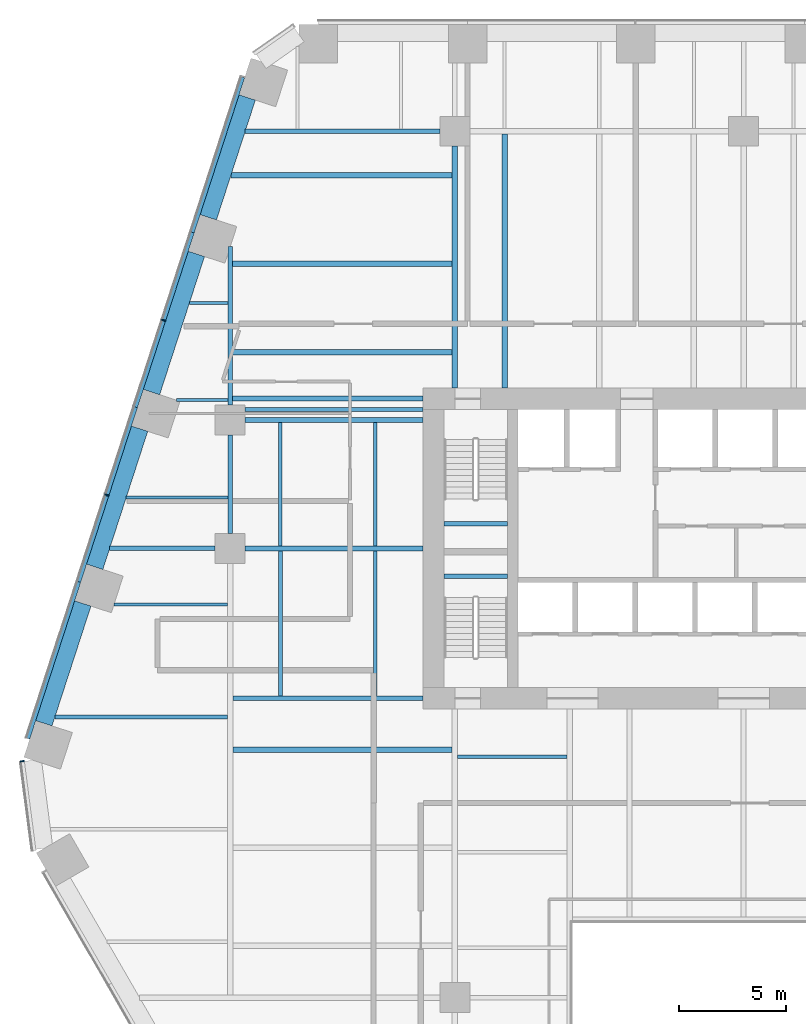
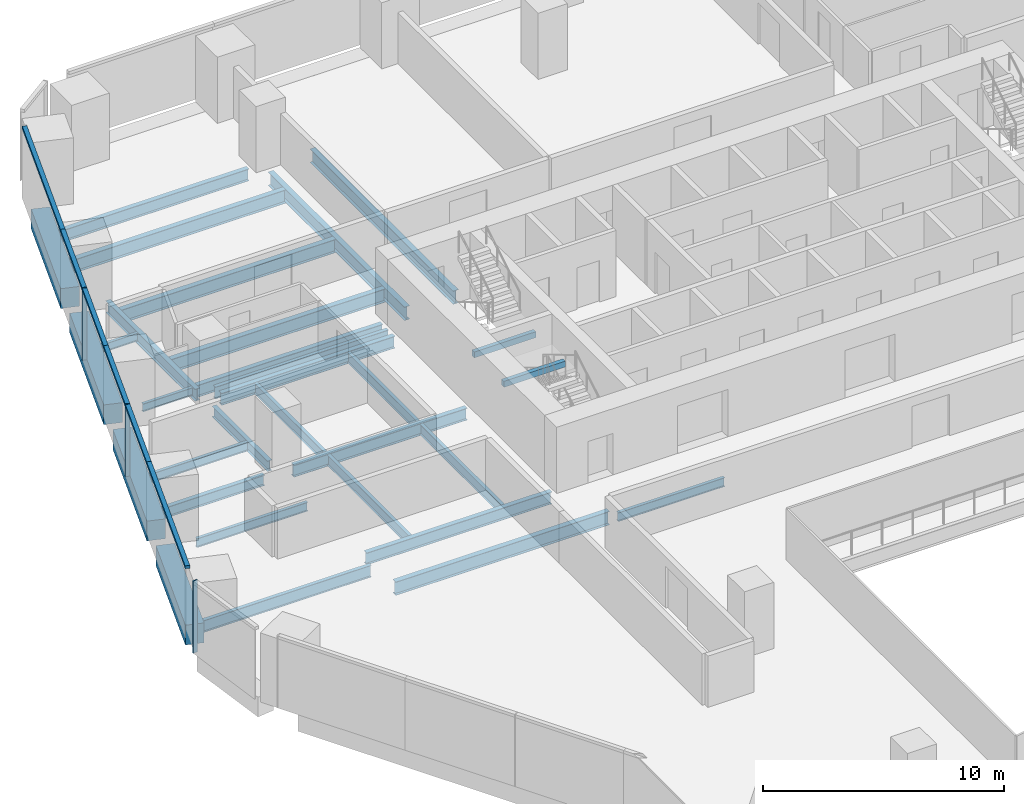
# One storey, part 8 of 20: 31 beams, 9 members, 2 elements without a shape of their own.
"""IFC4 building model written with IfcOpenShell, lengths in metres."""

from ifc_helpers import new_model, si_unit, direction, frame, origin, origin_2d, place, context, subcontext, project, spatial, rectangle, i_section, extrude, material, layer, layer_set, material_profile, profile_set, type_object, element, aggregate, save


model = new_model("IFC4")

# Units and contexts
model_context = context("Model", 3, precision=1e-05, world=origin(), true_north=direction((0.0, 1.0)))
body_context = subcontext(model_context, "Body", "Model", "MODEL_VIEW")
ifc_project = project(units=[si_unit("LENGTHUNIT", "METRE"), si_unit("AREAUNIT", "SQUARE_METRE"), si_unit("VOLUMEUNIT", "CUBIC_METRE"), si_unit("PLANEANGLEUNIT", "RADIAN"), si_unit("MASSUNIT", "GRAM", prefix="KILO")], contexts=[model_context])

# Site, building, storey
site_placement = place(None, origin())
site = spatial("IfcSite", under=ifc_project, at=site_placement, CompositionType="ELEMENT")
building_placement = place(site_placement, origin())
building = spatial("IfcBuilding", under=site, at=building_placement, Name="Isthmus Gate Tower", CompositionType="ELEMENT")
storey_placement = place(building_placement, frame((0.0, 0.0, 72.5)))
storey = spatial("IfcBuildingStorey", under=building, at=storey_placement, Name="L16", CompositionType="ELEMENT", Elevation=72.5)

# Curtain wall, members
ifc_material_1 = material(Name="Aluminium, pale champagne anodised", Category="aluminium")
ifc_layer = layer(ifc_material_1, 0.199951171875)
ifc_layer_set = layer_set([ifc_layer], Name="CW-1 UNITISED CURTAIN WALL 200 DEEP")
curtain_wall_type = type_object("IfcCurtainWallType", Name="CW-1 UNITISED CURTAIN WALL 200 DEEP", PredefinedType="NOTDEFINED", material=ifc_layer_set)
curtain_wall_1_placement = place(storey_placement, origin())
curtain_wall_1 = element("IfcCurtainWall", 1, at=curtain_wall_1_placement, inside=storey, type_object=curtain_wall_type, Name="CW-1 NW L16", PredefinedType="NOTDEFINED")
ifc_material_2 = material(Name="Aluminium, pale champagne anodised", Category="aluminium")
ifc_material_profile_1 = material_profile(ifc_material_2, rectangle(XDim=0.06005859375, YDim=0.199951171875, at=origin_2d()), Name="60x200")
ifc_profile_set_1 = profile_set([ifc_material_profile_1], Name="Aluminium, pale champagne anodised")
member_type_1 = type_object("IfcMemberType", Name="CW-1 MULLION 60 X 200", PredefinedType="MULLION", material=ifc_profile_set_1)
member_1_placement = place(storey_placement, frame((-27.11474609375, 18.163818359375, 0.0), z_axis=(0.0, 0.0, 1.0), x_axis=(-0.309016994375, -0.951056516295, 0.0)))
member_1 = element("IfcMember", 2, at=member_1_placement, type_object=member_type_1, Name="CW-1 mullion", PredefinedType="MULLION", context=body_context, shape_type="SweptSolid", body=[
    extrude(rectangle(XDim=0.06005859375, YDim=0.199951171875, at=origin_2d()), origin(), (0.0, 0.0, 1.0), 3.64990234375),
])
member_2_placement = place(storey_placement, frame((-29.76904296875, 9.994873046875, 0.0), z_axis=(0.0, 0.0, 1.0), x_axis=(-0.309016994375, -0.951056516295, 0.0)))
member_2 = element("IfcMember", 3, at=member_2_placement, type_object=member_type_1, Name="CW-1 mullion", PredefinedType="MULLION", context=body_context, shape_type="SweptSolid", body=[
    extrude(rectangle(XDim=0.06005859375, YDim=0.199951171875, at=origin_2d()), origin(), (0.0, 0.0, 1.0), 3.64990234375),
])

# Curtain wall, member
curtain_wall_2_placement = place(storey_placement, origin())
curtain_wall_2 = element("IfcCurtainWall", 4, at=curtain_wall_2_placement, inside=storey, type_object=curtain_wall_type, Name="CW-1 NW-SW L16", PredefinedType="NOTDEFINED")
member_3_placement = place(storey_placement, frame((-33.722900390625, -2.44482421875, 0.0), z_axis=(0.0, 0.0, 1.0), x_axis=(0.129164534, -0.991623175988, 0.0)))
member_3 = element("IfcMember", 5, at=member_3_placement, type_object=member_type_1, Name="CW-1 mullion", PredefinedType="MULLION", context=body_context, shape_type="SweptSolid", body=[
    extrude(rectangle(XDim=0.06005859375, YDim=0.199951171875, at=origin_2d()), origin(), (0.0, 0.0, 1.0), 3.64990234375),
])
aggregate(curtain_wall_2, [member_3])

# Member
ifc_material_3 = material(Name="Aluminium, pale champagne anodised", Category="aluminium")
ifc_material_profile_2 = material_profile(ifc_material_3, rectangle(XDim=0.199951171875, YDim=0.14990234375, at=origin_2d()), Name="200x150")
ifc_profile_set_2 = profile_set([ifc_material_profile_2], Name="Aluminium, pale champagne anodised")
member_type_2 = type_object("IfcMemberType", Name="CW-1 TRANSOM 200 X 150", PredefinedType="USERDEFINED", material=ifc_profile_set_2)
member_4_placement = place(storey_placement, frame((-23.4208984375, 29.532958984375, 3.574951171875), z_axis=(-0.309018780445, -0.951055935964, 0.0), x_axis=(0.951055935964, -0.309018780445, 0.0)))
member_4 = element("IfcMember", 6, at=member_4_placement, type_object=member_type_2, Name="CW-1 transom", ObjectType="TRANSOM", PredefinedType="USERDEFINED", context=body_context, shape_type="SweptSolid", body=[
    extrude(rectangle(XDim=0.199951171875, YDim=0.14990234375, at=origin_2d()), origin(), (0.0, 0.0, 1.0), 7.629638671875),
])

member_5_placement = place(storey_placement, frame((-25.778564453125, 22.27685546875, 3.574951171875), z_axis=(-0.309021801109, -0.951054954479, 0.0), x_axis=(0.951054954479, -0.309021801109, 0.0)))
member_5 = element("IfcMember", 7, at=member_5_placement, type_object=member_type_2, Name="CW-1 transom", ObjectType="TRANSOM", PredefinedType="USERDEFINED", context=body_context, shape_type="SweptSolid", body=[
    extrude(rectangle(XDim=0.199951171875, YDim=0.14990234375, at=origin_2d()), origin(), (0.0, 0.0, 1.0), 4.294677734375),
])

member_6_placement = place(storey_placement, frame((-27.1240234375, 18.13525390625, 3.574951171875), z_axis=(-0.309023496777, -0.951054403512, 0.0), x_axis=(0.951054403512, -0.309023496777, 0.0)))
member_6 = element("IfcMember", 8, at=member_6_placement, type_object=member_type_2, Name="CW-1 transom", ObjectType="TRANSOM", PredefinedType="USERDEFINED", context=body_context, shape_type="SweptSolid", body=[
    extrude(rectangle(XDim=0.199951171875, YDim=0.14990234375, at=origin_2d()), origin(), (0.0, 0.0, 1.0), 4.234619140625),
])

member_7_placement = place(storey_placement, frame((-28.4326171875, 14.10791015625, 3.574951171875), z_axis=(-0.309021801109, -0.951054954479, 0.0), x_axis=(0.951054954479, -0.309021801109, 0.0)))
member_7 = element("IfcMember", 9, at=member_7_placement, type_object=member_type_2, Name="CW-1 transom", ObjectType="TRANSOM", PredefinedType="USERDEFINED", context=body_context, shape_type="SweptSolid", body=[
    extrude(rectangle(XDim=0.199951171875, YDim=0.14990234375, at=origin_2d()), origin(), (0.0, 0.0, 1.0), 4.294677734375),
])

member_8_placement = place(storey_placement, frame((-29.7783203125, 9.96630859375, 3.574951171875), z_axis=(-0.309023496777, -0.951054403512, 0.0), x_axis=(0.951054403512, -0.309023496777, 0.0)))
member_8 = element("IfcMember", 10, at=member_8_placement, type_object=member_type_2, Name="CW-1 transom", ObjectType="TRANSOM", PredefinedType="USERDEFINED", context=body_context, shape_type="SweptSolid", body=[
    extrude(rectangle(XDim=0.199951171875, YDim=0.14990234375, at=origin_2d()), origin(), (0.0, 0.0, 1.0), 4.234619140625),
])

member_9_placement = place(storey_placement, frame((-31.0869140625, 5.93896484375, 3.574951171875), z_axis=(-0.30902720148, -0.951053199745, 0.0), x_axis=(0.951053199745, -0.30902720148, 0.0)))
member_9 = element("IfcMember", 11, at=member_9_placement, type_object=member_type_2, Name="CW-1 transom", ObjectType="TRANSOM", PredefinedType="USERDEFINED", context=body_context, shape_type="SweptSolid", body=[
    extrude(rectangle(XDim=0.199951171875, YDim=0.14990234375, at=origin_2d()), origin(), (0.0, 0.0, 1.0), 7.689453125),
])

aggregate(curtain_wall_1, [member_4, member_5, member_1, member_6, member_7, member_2, member_8, member_9])

# Beams
ifc_material_4 = material(Name="Concrete f'c 70 MPa", Category="concrete")
ifc_material_profile_3 = material_profile(ifc_material_4, rectangle(XDim=0.800048828125, YDim=1.0, at=origin_2d()), Name="RC 800X1000")
ifc_profile_set_3 = profile_set([ifc_material_profile_3], Name="Concrete f'c 70 MPa")
beam_type_1 = type_object("IfcBeamType", Name="RC SPANDREL 800 X 1000", PredefinedType="SPANDREL", material=ifc_profile_set_3)
beam_1_placement = place(storey_placement, frame((-32.70947265625, -0.672607421875, -0.5), z_axis=(0.309005457803, 0.951060264677, 0.0), x_axis=(-0.951060264677, 0.309005457803, 0.0)))
element("IfcBeam", 12, at=beam_1_placement, inside=storey, type_object=beam_type_1, Name="str-spandrel-L16-18", PredefinedType="SPANDREL", context=body_context, shape_type="SweptSolid", body=[
    extrude(rectangle(XDim=0.800048828125, YDim=1.0, at=origin_2d()), origin(), (0.0, 0.0, 1.0), 5.889404296875),
])
for number, where, z_axis, x_axis, name in (
    (13, (-30.333251953125, 6.640380859375, -0.5), (0.30900150794, 0.951061548004, 0.0), (-0.951061548004, 0.30900150794, 0.0), "str-spandrel-L16-19"),
    (14, (-27.67919921875, 14.809326171875, -0.5), (0.309034033576, 0.951050979754, 0.0), (-0.951050979754, 0.309034033576, 0.0), "str-spandrel-L16-20"),
):
    element("IfcBeam", number, at=place(storey_placement, frame(where, z_axis=z_axis, x_axis=x_axis)), inside=storey, type_object=beam_type_1, Name=name, PredefinedType="SPANDREL", context=body_context, shape_type="SweptSolid", body=[
        extrude(rectangle(XDim=0.800048828125, YDim=1.0, at=origin_2d()), origin(), (0.0, 0.0, 1.0), 6.789306640625),
    ])
beam_2_placement = place(storey_placement, frame((-25.02490234375, 22.978271484375, -0.5), z_axis=(0.309042953764, 0.951048081187, 0.0), x_axis=(-0.951048081187, 0.309042953764, 0.0)))
element("IfcBeam", 15, at=beam_2_placement, inside=storey, type_object=beam_type_1, Name="str-spandrel-L16-21", PredefinedType="SPANDREL", context=body_context, shape_type="SweptSolid", body=[
    extrude(rectangle(XDim=0.800048828125, YDim=1.0, at=origin_2d()), origin(), (0.0, 0.0, 1.0), 5.889404296875),
])
ifc_material_5 = material(Name="Concrete f'c 40 MPa", Category="concrete")
ifc_material_profile_4 = material_profile(ifc_material_5, rectangle(XDim=0.199951171875, YDim=0.300048828125, at=origin_2d()), Name="STAIR LANDING BEAM RC 200 X 300")
ifc_profile_set_4 = profile_set([ifc_material_profile_4], Name="Concrete f'c 40 MPa")
beam_type_2 = type_object("IfcBeamType", Name="STAIR LANDING BEAM RC 200 X 300", PredefinedType="BEAM", material=ifc_profile_set_4)
for number, where, z_axis, x_axis, name in (
    (16, (-14.0, 8.64990234375, 1.47509765625), (1.0, 0.0, 0.0), (0.0, 1.0, 0.0), "L16 ST1 landing beam 1"),
    (17, (-14.0, 6.199951171875, 1.47509765625), (1.0, 0.0, 0.0), (0.0, 1.0, 0.0), "L16 ST7 landing beam 1"),
):
    element("IfcBeam", number, at=place(storey_placement, frame(where, z_axis=z_axis, x_axis=x_axis)), inside=storey, type_object=beam_type_2, Name=name, PredefinedType="BEAM", context=body_context, shape_type="SweptSolid", body=[
        extrude(rectangle(XDim=0.199951171875, YDim=0.300048828125, at=origin_2d()), origin(), (0.0, 0.0, 1.0), 2.949951171875),
    ])
ifc_material_6 = material(Name="Structural steel ASTM A992 Gr 50", Category="steel")
ifc_material_profile_5 = material_profile(ifc_material_6, i_section(OverallWidth=0.1396484375, OverallDepth=0.4033203125, WebThickness=0.00634765625, FlangeThickness=0.010986328125, at=origin_2d()), Name="W16X31")
ifc_profile_set_5 = profile_set([ifc_material_profile_5], Name="Structural steel ASTM A992 Gr 50")
beam_type_3 = type_object("IfcBeamType", Name="STEEL FLOOR BEAM W16X31", PredefinedType="JOIST", material=ifc_profile_set_5)
beam_3_placement = place(storey_placement, frame((-26.503662109375, 14.427490234375, -0.3515625), z_axis=(1.0, 0.0, 0.0), x_axis=(0.0, 1.0, 0.0)))
element("IfcBeam", 18, at=beam_3_placement, inside=storey, type_object=beam_type_3, Name="str-beam-L16-01-01", PredefinedType="JOIST", context=body_context, shape_type="SweptSolid", body=[
    extrude(i_section(OverallWidth=0.1396484375, OverallDepth=0.4033203125, WebThickness=0.00634765625, FlangeThickness=0.010986328125, at=origin_2d()), origin(), (0.0, 0.0, 1.0), 2.389404296875),
])
beam_4_placement = place(storey_placement, frame((-25.90478515625, 18.975830078125, -0.3515625), z_axis=(1.0, 0.0, 0.0), x_axis=(0.0, 1.0, 0.0)))
element("IfcBeam", 19, at=beam_4_placement, inside=storey, type_object=beam_type_3, Name="str-beam-L16-01-02", PredefinedType="JOIST", context=body_context, shape_type="SweptSolid", body=[
    extrude(i_section(OverallWidth=0.1396484375, OverallDepth=0.4033203125, WebThickness=0.00634765625, FlangeThickness=0.010986328125, at=origin_2d()), origin(), (0.0, 0.0, 1.0), 1.79052734375),
])
ifc_material_7 = material(Name="Structural steel ASTM A992 Gr 50", Category="steel")
ifc_material_profile_6 = material_profile(ifc_material_7, i_section(OverallWidth=0.15234375, OverallDepth=0.45068359375, WebThickness=0.0078125, FlangeThickness=0.010986328125, at=origin_2d()), Name="W18X35")
ifc_profile_set_6 = profile_set([ifc_material_profile_6], Name="Structural steel ASTM A992 Gr 50")
beam_type_4 = type_object("IfcBeamType", Name="STEEL FLOOR BEAM W18X35", PredefinedType="JOIST", material=ifc_profile_set_6)
beam_5_placement = place(storey_placement, frame((-29.434814453125, 4.875, -0.37548828125), z_axis=(1.0, 0.0, 0.0), x_axis=(0.0, 1.0, 0.0)))
element("IfcBeam", 20, at=beam_5_placement, inside=storey, type_object=beam_type_4, Name="str-beam-L16-00-03", PredefinedType="JOIST", context=body_context, shape_type="SweptSolid", body=[
    extrude(i_section(OverallWidth=0.15234375, OverallDepth=0.45068359375, WebThickness=0.0078125, FlangeThickness=0.010986328125, at=origin_2d()), origin(), (0.0, 0.0, 1.0), 5.301513671875),
])
beam_6_placement = place(storey_placement, frame((-28.860595703125, 9.87890625, -0.37548828125), z_axis=(1.0, 0.0, 0.0), x_axis=(0.0, 1.0, 0.0)))
element("IfcBeam", 21, at=beam_6_placement, inside=storey, type_object=beam_type_4, Name="str-beam-L16-01-00", PredefinedType="JOIST", context=body_context, shape_type="SweptSolid", body=[
    extrude(i_section(OverallWidth=0.15234375, OverallDepth=0.45068359375, WebThickness=0.0078125, FlangeThickness=0.010986328125, at=origin_2d()), origin(), (0.0, 0.0, 1.0), 4.755859375),
])
beam_7_placement = place(storey_placement, frame((-13.3681640625, -2.232421875, -0.37548828125), z_axis=(1.0, 0.0, 0.0), x_axis=(0.0, 1.0, 0.0)))
element("IfcBeam", 22, at=beam_7_placement, inside=storey, type_object=beam_type_4, Name="str-beam-L16-11-02", PredefinedType="JOIST", context=body_context, shape_type="SweptSolid", body=[
    extrude(i_section(OverallWidth=0.15234375, OverallDepth=0.45068359375, WebThickness=0.0078125, FlangeThickness=0.010986328125, at=origin_2d()), origin(), (0.0, 0.0, 1.0), 5.1015625),
])
ifc_material_8 = material(Name="Structural steel ASTM A992 Gr 50", Category="steel")
ifc_material_profile_7 = material_profile(ifc_material_8, i_section(OverallWidth=0.1650390625, OverallDepth=0.52392578125, WebThickness=0.009521484375, FlangeThickness=0.010986328125, at=origin_2d()), Name="W21X44")
ifc_profile_set_7 = profile_set([ifc_material_profile_7], Name="Structural steel ASTM A992 Gr 50")
beam_type_5 = type_object("IfcBeamType", Name="STEEL FLOOR BEAM W21X44", PredefinedType="JOIST", material=ifc_profile_set_7)
for number, where, z_axis, x_axis, name in (
    (23, (-21.64990234375, 0.6142578125, -0.411865234375), (0.0, 1.0, 0.0), (-1.0, 0.0, 0.0), "str-beam-L16-02-00"),
    (24, (-17.216552734375, 0.6142578125, -0.411865234375), (0.0, 1.0, 0.0), (-1.0, 0.0, 0.0), "str-beam-L16-02-01"),
):
    element("IfcBeam", number, at=place(storey_placement, frame(where, z_axis=z_axis, x_axis=x_axis)), inside=storey, type_object=beam_type_5, Name=name, PredefinedType="JOIST", context=body_context, shape_type="SweptSolid", body=[
        extrude(i_section(OverallWidth=0.1650390625, OverallDepth=0.52392578125, WebThickness=0.009521484375, FlangeThickness=0.010986328125, at=origin_2d()), origin(), (0.0, 0.0, 1.0), 6.771484375),
    ])
for number, where, z_axis, x_axis, name in (
    (25, (-21.67138671875, 7.6142578125, -0.411865234375), (0.0, 1.0, 0.0), (-1.0, 0.0, 0.0), "str-beam-L16-03-00"),
    (26, (-17.223876953125, 7.6142578125, -0.411865234375), (0.0, 1.0, 0.0), (-1.0, 0.0, 0.0), "str-beam-L16-03-01"),
):
    element("IfcBeam", number, at=place(storey_placement, frame(where, z_axis=z_axis, x_axis=x_axis)), inside=storey, type_object=beam_type_5, Name=name, PredefinedType="JOIST", context=body_context, shape_type="SweptSolid", body=[
        extrude(i_section(OverallWidth=0.1650390625, OverallDepth=0.52392578125, WebThickness=0.009521484375, FlangeThickness=0.010986328125, at=origin_2d()), origin(), (0.0, 0.0, 1.0), 5.771484375),
    ])
ifc_material_9 = material(Name="Structural steel ASTM A992 Gr 50", Category="steel")
ifc_material_profile_8 = material_profile(ifc_material_9, i_section(OverallWidth=0.177734375, OverallDepth=0.60009765625, WebThickness=0.009521484375, FlangeThickness=0.0126953125, at=origin_2d()), Name="W24X55")
ifc_profile_set_8 = profile_set([ifc_material_profile_8], Name="Structural steel ASTM A992 Gr 50")
beam_type_6 = type_object("IfcBeamType", Name="STEEL FLOOR BEAM W24X55", PredefinedType="JOIST", material=ifc_profile_set_8)
beam_8_placement = place(storey_placement, frame((-32.192138671875, -0.375, -0.449951171875), z_axis=(1.0, 0.0, 0.0), x_axis=(0.0, 1.0, 0.0)))
element("IfcBeam", 27, at=beam_8_placement, inside=storey, type_object=beam_type_6, Name="str-beam-L16-00-02", PredefinedType="JOIST", context=body_context, shape_type="SweptSolid", body=[
    extrude(i_section(OverallWidth=0.177734375, OverallDepth=0.60009765625, WebThickness=0.009521484375, FlangeThickness=0.0126953125, at=origin_2d()), origin(), (0.0, 0.0, 1.0), 8.058837890625),
])
beam_9_placement = place(storey_placement, frame((-23.300048828125, 14.0, -0.449951171875), z_axis=(1.0, 0.0, 0.0), x_axis=(0.0, 1.0, 0.0)))
element("IfcBeam", 28, at=beam_9_placement, inside=storey, type_object=beam_type_6, Name="str-beam-L16-04-00", PredefinedType="JOIST", context=body_context, shape_type="SweptSolid", body=[
    extrude(i_section(OverallWidth=0.177734375, OverallDepth=0.60009765625, WebThickness=0.009521484375, FlangeThickness=0.0126953125, at=origin_2d()), origin(), (0.0, 0.0, 1.0), 8.300048828125),
])
ifc_material_10 = material(Name="Structural steel ASTM A992 Gr 50", Category="steel")
ifc_material_profile_9 = material_profile(ifc_material_10, i_section(OverallWidth=0.25390625, OverallDepth=0.679443359375, WebThickness=0.010986328125, FlangeThickness=0.015869140625, at=origin_2d()), Name="W27X84")
ifc_profile_set_9 = profile_set([ifc_material_profile_9], Name="Structural steel ASTM A992 Gr 50")
beam_type_7 = type_object("IfcBeamType", Name="STEEL FLOOR BEAM W27X84", PredefinedType="JOIST", material=ifc_profile_set_9)
for number, where, z_axis, x_axis, name in (
    (29, (-23.8857421875, 16.678466796875, -0.48974609375), (1.0, 0.0, 0.0), (0.0, 1.0, 0.0), "str-beam-L16-06-00"),
    (30, (-23.8857421875, 20.80712890625, -0.48974609375), (1.0, 0.0, 0.0), (0.0, 1.0, 0.0), "str-beam-L16-06-01"),
):
    element("IfcBeam", number, at=place(storey_placement, frame(where, z_axis=z_axis, x_axis=x_axis)), inside=storey, type_object=beam_type_7, Name=name, PredefinedType="JOIST", context=body_context, shape_type="SweptSolid", body=[
        extrude(i_section(OverallWidth=0.25390625, OverallDepth=0.679443359375, WebThickness=0.010986328125, FlangeThickness=0.015869140625, at=origin_2d()), origin(), (0.0, 0.0, 1.0), 10.2587890625),
    ])
beam_10_placement = place(storey_placement, frame((-23.96826171875, 24.935791015625, -0.48974609375), z_axis=(1.0, 0.0, 0.0), x_axis=(0.0, 1.0, 0.0)))
element("IfcBeam", 31, at=beam_10_placement, inside=storey, type_object=beam_type_7, Name="str-beam-L16-06-02", PredefinedType="JOIST", context=body_context, shape_type="SweptSolid", body=[
    extrude(i_section(OverallWidth=0.25390625, OverallDepth=0.679443359375, WebThickness=0.010986328125, FlangeThickness=0.015869140625, at=origin_2d()), origin(), (0.0, 0.0, 1.0), 10.34130859375),
])
beam_11_placement = place(storey_placement, frame((-23.86669921875, -1.90625, -0.48974609375), z_axis=(1.0, 0.0, 0.0), x_axis=(0.0, 1.0, 0.0)))
element("IfcBeam", 32, at=beam_11_placement, inside=storey, type_object=beam_type_7, Name="str-beam-L16-07-02", PredefinedType="JOIST", context=body_context, shape_type="SweptSolid", body=[
    extrude(i_section(OverallWidth=0.25390625, OverallDepth=0.679443359375, WebThickness=0.010986328125, FlangeThickness=0.015869140625, at=origin_2d()), origin(), (0.0, 0.0, 1.0), 10.23486328125),
])
beam_12_placement = place(storey_placement, frame((-11.165283203125, 15.0, -0.48974609375), z_axis=(0.0, 1.0, 0.0), x_axis=(-1.0, 0.0, 0.0)))
element("IfcBeam", 33, at=beam_12_placement, inside=storey, type_object=beam_type_7, Name="str-beam-L16-13-00", PredefinedType="JOIST", context=body_context, shape_type="SweptSolid", body=[
    extrude(i_section(OverallWidth=0.25390625, OverallDepth=0.679443359375, WebThickness=0.010986328125, FlangeThickness=0.015869140625, at=origin_2d()), origin(), (0.0, 0.0, 1.0), 11.8681640625),
])
ifc_material_11 = material(Name="Structural steel ASTM A992 Gr 50", Category="steel")
ifc_material_profile_10 = material_profile(ifc_material_11, i_section(OverallWidth=0.20947265625, OverallDepth=0.533447265625, WebThickness=0.009521484375, FlangeThickness=0.015869140625, at=origin_2d()), Name="W21X62")
ifc_profile_set_10 = profile_set([ifc_material_profile_10], Name="Structural steel ASTM A992 Gr 50")
beam_type_8 = type_object("IfcBeamType", Name="STEEL GIRDER W21X62", PredefinedType="BEAM", material=ifc_profile_set_10)
beam_13_placement = place(storey_placement, frame((-29.633544921875, 7.5, -0.416748046875), z_axis=(1.0, 0.0, 0.0), x_axis=(0.0, 1.0, 0.0)))
element("IfcBeam", 34, at=beam_13_placement, inside=storey, type_object=beam_type_8, Name="str-girder-L16-09", PredefinedType="BEAM", context=body_context, shape_type="SweptSolid", body=[
    extrude(i_section(OverallWidth=0.20947265625, OverallDepth=0.533447265625, WebThickness=0.009521484375, FlangeThickness=0.015869140625, at=origin_2d()), origin(), (0.0, 0.0, 1.0), 4.93359375),
])
beam_14_placement = place(storey_placement, frame((-24.0, 8.199951171875, -0.416748046875), z_axis=(0.0, 1.0, 0.0), x_axis=(-1.0, 0.0, 0.0)))
element("IfcBeam", 35, at=beam_14_placement, inside=storey, type_object=beam_type_8, Name="str-girder-L16-21", PredefinedType="BEAM", context=body_context, shape_type="SweptSolid", body=[
    extrude(i_section(OverallWidth=0.20947265625, OverallDepth=0.533447265625, WebThickness=0.009521484375, FlangeThickness=0.015869140625, at=origin_2d()), origin(), (0.0, 0.0, 1.0), 4.60009765625),
])
ifc_material_12 = material(Name="Structural steel ASTM A992 Gr 50", Category="steel")
ifc_material_profile_11 = material_profile(ifc_material_12, i_section(OverallWidth=0.228515625, OverallDepth=0.603271484375, WebThickness=0.010986328125, FlangeThickness=0.014404296875, at=origin_2d()), Name="W24X68")
ifc_profile_set_11 = profile_set([ifc_material_profile_11], Name="Structural steel ASTM A992 Gr 50")
beam_type_9 = type_object("IfcBeamType", Name="STEEL GIRDER W24X68", PredefinedType="BEAM", material=ifc_profile_set_11)
beam_15_placement = place(storey_placement, frame((-24.0, 14.199951171875, -0.45166015625), z_axis=(0.0, 1.0, 0.0), x_axis=(-1.0, 0.0, 0.0)))
element("IfcBeam", 36, at=beam_15_placement, inside=storey, type_object=beam_type_9, Name="str-girder-L16-22", PredefinedType="BEAM", context=body_context, shape_type="SweptSolid", body=[
    extrude(i_section(OverallWidth=0.228515625, OverallDepth=0.603271484375, WebThickness=0.010986328125, FlangeThickness=0.014404296875, at=origin_2d()), origin(), (0.0, 0.0, 1.0), 7.402099609375),
])
ifc_material_13 = material(Name="Structural steel ASTM A992 Gr 50", Category="steel")
ifc_material_profile_12 = material_profile(ifc_material_13, i_section(OverallWidth=0.228515625, OverallDepth=0.6064453125, WebThickness=0.010986328125, FlangeThickness=0.017578125, at=origin_2d()), Name="W24X76")
ifc_profile_set_12 = profile_set([ifc_material_profile_12], Name="Structural steel ASTM A992 Gr 50")
beam_type_10 = type_object("IfcBeamType", Name="STEEL GIRDER W24X76", PredefinedType="BEAM", material=ifc_profile_set_12)
for number, where, z_axis, x_axis, name in (
    (37, (-23.300048828125, 7.5, -0.453125), (1.0, 0.0, 0.0), (0.0, 1.0, 0.0), "str-girder-L16-10"),
    (38, (-23.300048828125, 13.5, -0.453125), (1.0, 0.0, 0.0), (0.0, 1.0, 0.0), "str-girder-L16-13"),
):
    element("IfcBeam", number, at=place(storey_placement, frame(where, z_axis=z_axis, x_axis=x_axis)), inside=storey, type_object=beam_type_10, Name=name, PredefinedType="BEAM", context=body_context, shape_type="SweptSolid", body=[
        extrude(i_section(OverallWidth=0.228515625, OverallDepth=0.6064453125, WebThickness=0.010986328125, FlangeThickness=0.017578125, at=origin_2d()), origin(), (0.0, 0.0, 1.0), 8.300048828125),
    ])
beam_16_placement = place(storey_placement, frame((-23.297607421875, 27.0, -0.453125), z_axis=(1.0, 0.0, 0.0), x_axis=(0.0, 1.0, 0.0)))
element("IfcBeam", 39, at=beam_16_placement, inside=storey, type_object=beam_type_10, Name="str-girder-L16-16", PredefinedType="BEAM", context=body_context, shape_type="SweptSolid", body=[
    extrude(i_section(OverallWidth=0.228515625, OverallDepth=0.6064453125, WebThickness=0.010986328125, FlangeThickness=0.017578125, at=origin_2d()), origin(), (0.0, 0.0, 1.0), 9.09765625),
])
beam_17_placement = place(storey_placement, frame((-15.0, 0.5, -0.453125), z_axis=(-1.0, 0.0, 0.0), x_axis=(0.0, -1.0, 0.0)))
element("IfcBeam", 40, at=beam_17_placement, inside=storey, type_object=beam_type_10, Name="str-girder-L16-38", PredefinedType="BEAM", context=body_context, shape_type="SweptSolid", body=[
    extrude(i_section(OverallWidth=0.228515625, OverallDepth=0.6064453125, WebThickness=0.010986328125, FlangeThickness=0.017578125, at=origin_2d()), origin(), (0.0, 0.0, 1.0), 8.86669921875),
])
beam_18_placement = place(storey_placement, frame((-15.0, 14.5, -0.453125), z_axis=(-1.0, 0.0, 0.0), x_axis=(0.0, -1.0, 0.0)))
element("IfcBeam", 41, at=beam_18_placement, inside=storey, type_object=beam_type_10, Name="str-girder-L16-40", PredefinedType="BEAM", context=body_context, shape_type="SweptSolid", body=[
    extrude(i_section(OverallWidth=0.228515625, OverallDepth=0.6064453125, WebThickness=0.010986328125, FlangeThickness=0.017578125, at=origin_2d()), origin(), (0.0, 0.0, 1.0), 8.8857421875),
])
ifc_material_14 = material(Name="Structural steel ASTM A992 Gr 50", Category="steel")
ifc_material_profile_13 = material_profile(ifc_material_14, i_section(OverallWidth=0.25390625, OverallDepth=0.679443359375, WebThickness=0.010986328125, FlangeThickness=0.015869140625, at=origin_2d()), Name="W27X84")
ifc_profile_set_13 = profile_set([ifc_material_profile_13], Name="Structural steel ASTM A992 Gr 50")
beam_type_11 = type_object("IfcBeamType", Name="STEEL GIRDER W27X84", PredefinedType="BEAM", material=ifc_profile_set_13)
beam_19_placement = place(storey_placement, frame((-13.5, 15.0, -0.48974609375), z_axis=(0.0, 1.0, 0.0), x_axis=(-1.0, 0.0, 0.0)))
element("IfcBeam", 42, at=beam_19_placement, inside=storey, type_object=beam_type_11, Name="str-girder-L16-26", PredefinedType="BEAM", context=body_context, shape_type="SweptSolid", body=[
    extrude(i_section(OverallWidth=0.25390625, OverallDepth=0.679443359375, WebThickness=0.010986328125, FlangeThickness=0.015869140625, at=origin_2d()), origin(), (0.0, 0.0, 1.0), 11.300048828125),
])

save(model, "model.ifc")
